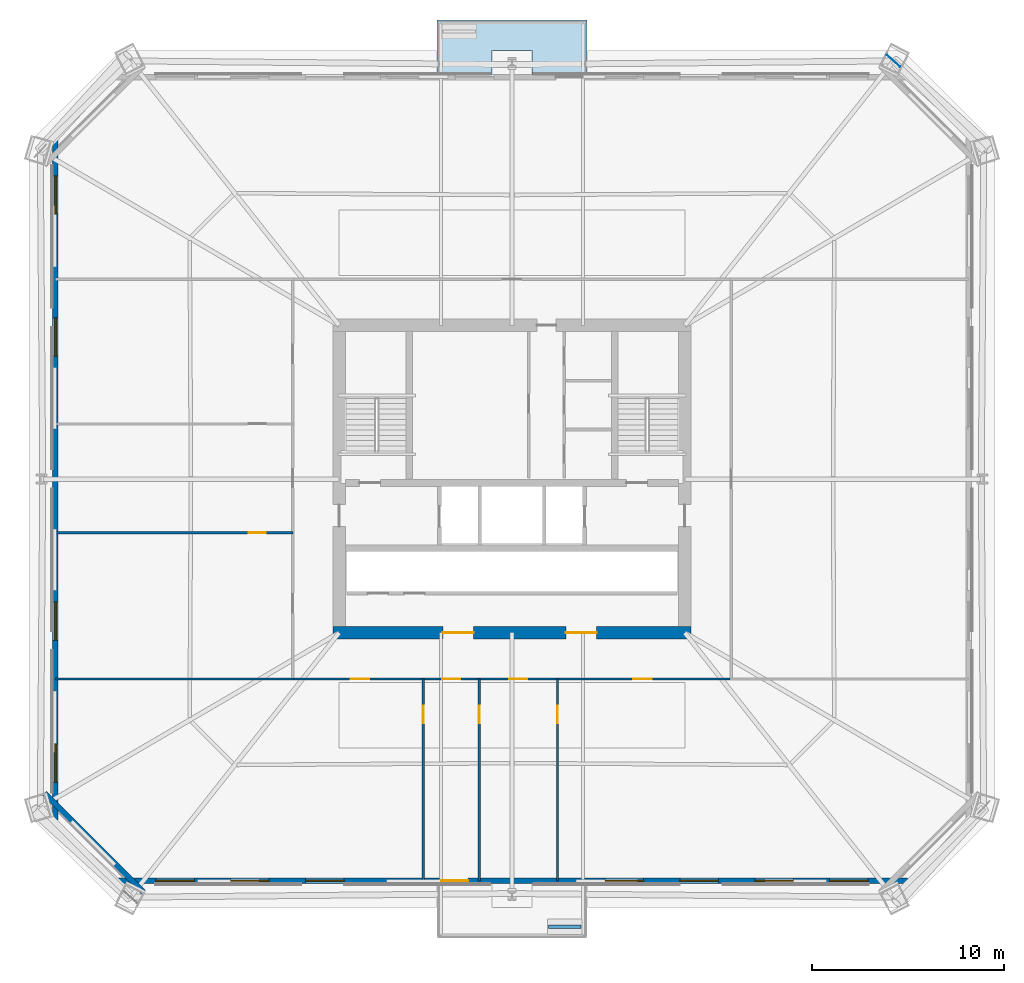
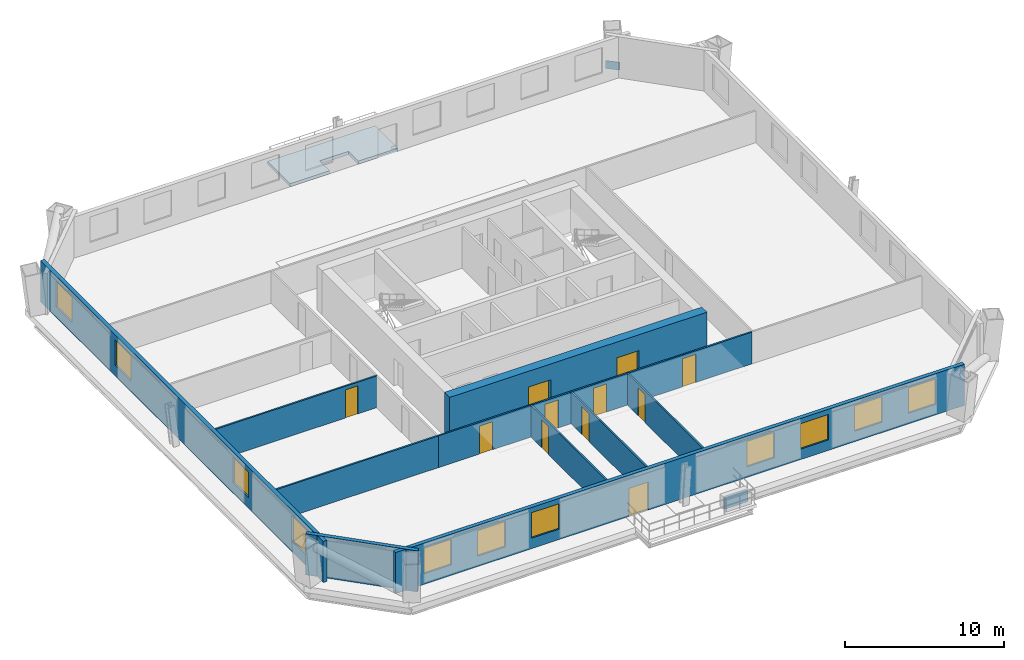
# One storey, part 3 of 8: 11 doors, 11 walls, 11 windows, 1 plate, 1 slab, 22 openings.
"""IFC4 building model written with IfcOpenShell, lengths in metres."""

from ifc_helpers import new_model, si_unit, direction, frame, frame_2d, origin, origin_2d, place, context, subcontext, project, spatial, polyline, rectangle, outline, extrude, material, layer, layer_set, type_object, element, fill, save


model = new_model("IFC4")

# Units and contexts
model_context = context("Model", 3, precision=1e-05, world=origin(), true_north=direction((0.0, 1.0)))
body_context = subcontext(model_context, "Body", "Model", "MODEL_VIEW")
ifc_project = project(units=[si_unit("LENGTHUNIT", "METRE"), si_unit("AREAUNIT", "SQUARE_METRE"), si_unit("VOLUMEUNIT", "CUBIC_METRE"), si_unit("PLANEANGLEUNIT", "RADIAN"), si_unit("MASSUNIT", "GRAM", prefix="KILO")], contexts=[model_context])

# Site, building, storey
site_placement = place(None, origin())
site = spatial("IfcSite", under=ifc_project, at=site_placement, CompositionType="ELEMENT")
building_placement = place(site_placement, origin())
building = spatial("IfcBuilding", under=site, at=building_placement, Name="Caelvoria Tower", CompositionType="ELEMENT")
storey_placement = place(building_placement, frame((0.0, 0.0, 46.0)))
storey = spatial("IfcBuildingStorey", under=building, at=storey_placement, Name="L11", CompositionType="ELEMENT", Elevation=46.0)

# Plate
ifc_material_1 = material(Name="Structural Steel ASTM A572 Gr.50", Category="steel")
ifc_layer_1 = layer(ifc_material_1, 0.0400390625, Name="Structural Steel ASTM A572 Gr.50")
ifc_layer_set_1 = layer_set([ifc_layer_1], Name="Megaframe Node Gusset Plate 900x600x40 - Structural Steel ASTM A572 Gr.50")
plate_type = type_object("IfcPlateType", Name="Megaframe Node Gusset Plate 900x600x40", PredefinedType="USERDEFINED", material=ifc_layer_set_1)
plate_placement = place(storey_placement, frame((65.86474609375, 53.768310546875, 0.02001953125), z_axis=(0.0, 0.0, 1.0), x_axis=(0.740456301818, -0.672104504596, 0.0)))
element("IfcPlate", 1, at=plate_placement, inside=storey, type_object=plate_type, Name="Chamfer Mega Brace Gusset L11 NE", ObjectType="GUSSET_PLATE", PredefinedType="USERDEFINED", context=body_context, shape_type="SweptSolid", body=[
    extrude(rectangle(XDim=0.89990234375, YDim=0.0400390625, at=origin_2d()), origin(), (0.0, 0.0, 1.0), 0.60009765625),
])

# Slab
ifc_material_2 = material(Name="Concrete C45/55", Category="concrete")
ifc_layer_2 = layer(ifc_material_2, 0.25, Name="Concrete C45/55")
ifc_layer_set_2 = layer_set([ifc_layer_2], Name="Tree Balcony Structural Planter Slab 250 - Concrete C45/55")
slab_type = type_object("IfcSlabType", Name="Tree Balcony Structural Planter Slab 250", PredefinedType="FLOOR", material=ifc_layer_set_2)
slab_placement = place(storey_placement, frame((0.0, 0.0, -0.25)))
element("IfcSlab", 2, at=slab_placement, inside=storey, type_object=slab_type, Name="Tree Balcony Slab TB-L11-N", PredefinedType="FLOOR", context=body_context, shape_type="SweptSolid", body=[
    extrude(outline(polyline([(42.10009765625, 55.89990234375), (42.10009765625, 54.300048828125), (42.10009765625, 53.06005859375), (44.9599609375, 53.06005859375), (44.9599609375, 54.300048828125), (47.0400390625, 54.300048828125), (47.0400390625, 53.06005859375), (49.89990234375, 53.06005859375), (49.89990234375, 54.300048828125), (49.89990234375, 55.89990234375), (42.10009765625, 55.89990234375)])), origin(), (0.0, 0.0, 1.0), 0.25),
])

# Wall
ifc_material_3 = material(Name="Bronze-Clad Concrete C40/50", Category="concrete")
ifc_layer_3 = layer(ifc_material_3, 0.179931640625, Name="Bronze-Clad Concrete C40/50")
ifc_layer_set_3 = layer_set([ifc_layer_3], Name="Architectural Planter Kerb Wall 180 - Bronze-Clad Concrete C40/50")
wall_type_1 = type_object("IfcWallType", Name="Architectural Planter Kerb Wall 180", PredefinedType="PARAPET", material=ifc_layer_set_3)
wall_1_placement = place(storey_placement, frame((47.89990234375, 8.699951171875, 0.0), z_axis=(0.0, 0.0, 1.0), x_axis=(1.0, 0.0, 0.0)))
element("IfcWall", 3, at=wall_1_placement, inside=storey, type_object=wall_type_1, Name="Tree Balcony Planter Kerb PLANTER TB-L11-S", PredefinedType="PARAPET", context=body_context, shape_type="SweptSolid", body=[
    extrude(rectangle(XDim=1.7001953125, YDim=0.179931640625, at=frame_2d((0.85009765625, 0.0))), origin(), (0.0, 0.0, 1.0), 0.8798828125),
])

# Wall, openings, windows, door
ifc_material_4 = material(Name="Precast Concrete C40/50 with Bronze Cladding", Category="concrete")
ifc_layer_4 = layer(ifc_material_4, 0.280029296875, Name="Precast Concrete C40/50 with Bronze Cladding")
ifc_layer_set_4 = layer_set([ifc_layer_4], Name="Exterior Precast Concrete C40/50 Bronze-Clad Facade Wall 280 - Precast Concrete C40/50 with Bronze Cladding")
wall_type_2 = type_object("IfcWallType", Name="Exterior Precast Concrete C40/50 Bronze-Clad Facade Wall 280", PredefinedType="STANDARD", material=ifc_layer_set_4)
wall_2_placement = place(storey_placement, frame((25.409912109375, 11.080078125, 0.0), z_axis=(0.0, 0.0, 1.0), x_axis=(1.0, 0.0, 0.0)))
wall_2 = element("IfcWall", 4, at=wall_2_placement, inside=storey, type_object=wall_type_2, Name="Exterior Facade Wall L11-E0", PredefinedType="STANDARD", context=body_context, shape_type="SweptSolid", body=[
    extrude(rectangle(XDim=41.18017578125, YDim=0.280029296875, at=frame_2d((20.590087890625, 0.0))), origin(), (0.0, 0.0, 1.0), 3.14990234375),
])
opening_1_placement = place(wall_2_placement, frame((16.909912109375, 0.0, 0.0)))
opening_1 = element("IfcOpeningElement", 5, at=opening_1_placement, cuts=wall_2, Name="Opening ED-04", PredefinedType="OPENING", context=body_context, shape_type="SweptSolid", body=[
    extrude(rectangle(XDim=1.39990234375, YDim=2.14990234375, at=frame_2d((0.699951171875, 1.074951171875))), frame((0.0, 0.14990234375, 0.0), z_axis=(0.0, -1.0, 0.0), x_axis=(1.0, 0.0, 0.0)), (0.0, 0.0, 1.0), 0.300048828125),
])
opening_2_placement = place(wall_2_placement, frame((2.049072265625, 0.0, 0.800048828125)))
opening_2 = element("IfcOpeningElement", 6, at=opening_2_placement, cuts=wall_2, Name="Opening WN-01", PredefinedType="OPENING", context=body_context, shape_type="SweptSolid", body=[
    extrude(rectangle(XDim=2.0, YDim=1.949951171875, at=frame_2d((1.0, 0.97509765625))), frame((0.0, 0.14990234375, 0.0), z_axis=(0.0, -1.0, 0.0), x_axis=(1.0, 0.0, 0.0)), (0.0, 0.0, 1.0), 0.300048828125),
])
opening_3_placement = place(wall_2_placement, frame((5.947021484375, 0.0, 0.800048828125)))
opening_3 = element("IfcOpeningElement", 7, at=opening_3_placement, cuts=wall_2, Name="Opening WN-01", PredefinedType="OPENING", context=body_context, shape_type="SweptSolid", body=[
    extrude(rectangle(XDim=2.0, YDim=1.949951171875, at=frame_2d((1.0, 0.97509765625))), frame((0.0, 0.14990234375, 0.0), z_axis=(0.0, -1.0, 0.0), x_axis=(1.0, 0.0, 0.0)), (0.0, 0.0, 1.0), 0.300048828125),
])
opening_4_placement = place(wall_2_placement, frame((9.844970703125, 0.0, 0.800048828125)))
opening_4 = element("IfcOpeningElement", 8, at=opening_4_placement, cuts=wall_2, Name="Opening WN-01", PredefinedType="OPENING", context=body_context, shape_type="SweptSolid", body=[
    extrude(rectangle(XDim=2.0, YDim=1.949951171875, at=frame_2d((1.0, 0.97509765625))), frame((0.0, 0.14990234375, 0.0), z_axis=(0.0, -1.0, 0.0), x_axis=(1.0, 0.0, 0.0)), (0.0, 0.0, 1.0), 0.300048828125),
])
opening_5_placement = place(wall_2_placement, frame((25.43701171875, 0.0, 0.800048828125)))
opening_5 = element("IfcOpeningElement", 9, at=opening_5_placement, cuts=wall_2, Name="Opening WN-01", PredefinedType="OPENING", context=body_context, shape_type="SweptSolid", body=[
    extrude(rectangle(XDim=2.0, YDim=1.949951171875, at=frame_2d((1.0, 0.97509765625))), frame((0.0, 0.14990234375, 0.0), z_axis=(0.0, -1.0, 0.0), x_axis=(1.0, 0.0, 0.0)), (0.0, 0.0, 1.0), 0.300048828125),
])
opening_6_placement = place(wall_2_placement, frame((29.3349609375, 0.0, 0.800048828125)))
opening_6 = element("IfcOpeningElement", 10, at=opening_6_placement, cuts=wall_2, Name="Opening WN-01", PredefinedType="OPENING", context=body_context, shape_type="SweptSolid", body=[
    extrude(rectangle(XDim=2.0, YDim=1.949951171875, at=frame_2d((1.0, 0.97509765625))), frame((0.0, 0.14990234375, 0.0), z_axis=(0.0, -1.0, 0.0), x_axis=(1.0, 0.0, 0.0)), (0.0, 0.0, 1.0), 0.300048828125),
])
opening_7_placement = place(wall_2_placement, frame((33.23291015625, 0.0, 0.800048828125)))
opening_7 = element("IfcOpeningElement", 11, at=opening_7_placement, cuts=wall_2, Name="Opening WN-01", PredefinedType="OPENING", context=body_context, shape_type="SweptSolid", body=[
    extrude(rectangle(XDim=2.0, YDim=1.949951171875, at=frame_2d((1.0, 0.97509765625))), frame((0.0, 0.14990234375, 0.0), z_axis=(0.0, -1.0, 0.0), x_axis=(1.0, 0.0, 0.0)), (0.0, 0.0, 1.0), 0.300048828125),
])
opening_8_placement = place(wall_2_placement, frame((37.131103515625, 0.0, 0.800048828125)))
opening_8 = element("IfcOpeningElement", 12, at=opening_8_placement, cuts=wall_2, Name="Opening WN-01", PredefinedType="OPENING", context=body_context, shape_type="SweptSolid", body=[
    extrude(rectangle(XDim=2.0, YDim=1.949951171875, at=frame_2d((1.0, 0.97509765625))), frame((0.0, 0.14990234375, 0.0), z_axis=(0.0, -1.0, 0.0), x_axis=(1.0, 0.0, 0.0)), (0.0, 0.0, 1.0), 0.300048828125),
])
ifc_material_5 = material(Name="Low-E Tinted Glass in Bronze Aluminium Frame", Category="aluminium")
window_type = type_object("IfcWindowType", Name="Tower Office Vision Window 2000x1950", PartitioningType="SINGLE_PANEL", PredefinedType="WINDOW", material=ifc_material_5)
window_1_placement = place(opening_2_placement, origin())
window_1 = element("IfcWindow", 13, at=window_1_placement, inside=storey, type_object=window_type, Name="Facade Window L11-E0-00", OverallHeight=1.949951171875, OverallWidth=2.0, PartitioningType="SINGLE_PANEL", PredefinedType="WINDOW", context=body_context, shape_type="SweptSolid", body=[
    extrude(rectangle(XDim=2.0, YDim=1.949951171875, at=frame_2d((1.0, 0.97509765625))), frame((0.0, 0.030029296875, 0.0), z_axis=(0.0, -1.0, 0.0), x_axis=(1.0, 0.0, 0.0)), (0.0, 0.0, 1.0), 0.06005859375),
])
fill(opening_2, window_1)
window_2_placement = place(opening_3_placement, origin())
window_2 = element("IfcWindow", 14, at=window_2_placement, inside=storey, type_object=window_type, Name="Facade Window L11-E0-01", OverallHeight=1.949951171875, OverallWidth=2.0, PartitioningType="SINGLE_PANEL", PredefinedType="WINDOW", context=body_context, shape_type="SweptSolid", body=[
    extrude(rectangle(XDim=2.0, YDim=1.949951171875, at=frame_2d((1.0, 0.97509765625))), frame((0.0, 0.030029296875, 0.0), z_axis=(0.0, -1.0, 0.0), x_axis=(1.0, 0.0, 0.0)), (0.0, 0.0, 1.0), 0.06005859375),
])
fill(opening_3, window_2)
window_3_placement = place(opening_4_placement, origin())
window_3 = element("IfcWindow", 15, at=window_3_placement, inside=storey, type_object=window_type, Name="Facade Window L11-E0-02", OverallHeight=1.949951171875, OverallWidth=2.0, PartitioningType="SINGLE_PANEL", PredefinedType="WINDOW", context=body_context, shape_type="SweptSolid", body=[
    extrude(rectangle(XDim=2.0, YDim=1.949951171875, at=frame_2d((1.0, 0.97509765625))), frame((0.0, 0.030029296875, 0.0), z_axis=(0.0, -1.0, 0.0), x_axis=(1.0, 0.0, 0.0)), (0.0, 0.0, 1.0), 0.06005859375),
])
fill(opening_4, window_3)
window_4_placement = place(opening_5_placement, origin())
window_4 = element("IfcWindow", 16, at=window_4_placement, inside=storey, type_object=window_type, Name="Facade Window L11-E0-06", OverallHeight=1.949951171875, OverallWidth=2.0, PartitioningType="SINGLE_PANEL", PredefinedType="WINDOW", context=body_context, shape_type="SweptSolid", body=[
    extrude(rectangle(XDim=2.0, YDim=1.949951171875, at=frame_2d((1.0, 0.97509765625))), frame((0.0, 0.030029296875, 0.0), z_axis=(0.0, -1.0, 0.0), x_axis=(1.0, 0.0, 0.0)), (0.0, 0.0, 1.0), 0.06005859375),
])
fill(opening_5, window_4)
window_5_placement = place(opening_6_placement, origin())
window_5 = element("IfcWindow", 17, at=window_5_placement, inside=storey, type_object=window_type, Name="Facade Window L11-E0-07", OverallHeight=1.949951171875, OverallWidth=2.0, PartitioningType="SINGLE_PANEL", PredefinedType="WINDOW", context=body_context, shape_type="SweptSolid", body=[
    extrude(rectangle(XDim=2.0, YDim=1.949951171875, at=frame_2d((1.0, 0.97509765625))), frame((0.0, 0.030029296875, 0.0), z_axis=(0.0, -1.0, 0.0), x_axis=(1.0, 0.0, 0.0)), (0.0, 0.0, 1.0), 0.06005859375),
])
fill(opening_6, window_5)
window_6_placement = place(opening_7_placement, origin())
window_6 = element("IfcWindow", 18, at=window_6_placement, inside=storey, type_object=window_type, Name="Facade Window L11-E0-08", OverallHeight=1.949951171875, OverallWidth=2.0, PartitioningType="SINGLE_PANEL", PredefinedType="WINDOW", context=body_context, shape_type="SweptSolid", body=[
    extrude(rectangle(XDim=2.0, YDim=1.949951171875, at=frame_2d((1.0, 0.97509765625))), frame((0.0, 0.030029296875, 0.0), z_axis=(0.0, -1.0, 0.0), x_axis=(1.0, 0.0, 0.0)), (0.0, 0.0, 1.0), 0.06005859375),
])
fill(opening_7, window_6)
window_7_placement = place(opening_8_placement, origin())
window_7 = element("IfcWindow", 19, at=window_7_placement, inside=storey, type_object=window_type, Name="Facade Window L11-E0-09", OverallHeight=1.949951171875, OverallWidth=2.0, PartitioningType="SINGLE_PANEL", PredefinedType="WINDOW", context=body_context, shape_type="SweptSolid", body=[
    extrude(rectangle(XDim=2.0, YDim=1.949951171875, at=frame_2d((1.0, 0.97509765625))), frame((0.0, 0.030029296875, 0.0), z_axis=(0.0, -1.0, 0.0), x_axis=(1.0, 0.0, 0.0)), (0.0, 0.0, 1.0), 0.06005859375),
])
fill(opening_8, window_7)
ifc_material_6 = material(Name="Anodised Bronze Aluminium and Laminated Glass", Category="aluminium")
door_type_1 = type_object("IfcDoorType", Name="Tree Balcony Glazed Door 1400x2150", OperationType="NOTDEFINED", PredefinedType="DOOR", material=ifc_material_6)
door_1_placement = place(opening_1_placement, origin())
door_1 = element("IfcDoor", 20, at=door_1_placement, inside=storey, type_object=door_type_1, Name="Tree Balcony Door L11-S", OperationType="SINGLE_SWING_RIGHT", OverallHeight=2.14990234375, OverallWidth=1.39990234375, PredefinedType="DOOR", context=body_context, shape_type="SweptSolid", body=[
    extrude(rectangle(XDim=1.39990234375, YDim=2.14990234375, at=frame_2d((0.699951171875, 1.074951171875))), frame((0.0, 0.02490234375, 0.0), z_axis=(0.0, -1.0, 0.0), x_axis=(1.0, 0.0, 0.0)), (0.0, 0.0, 1.0), 0.050048828125),
])
fill(opening_1, door_1)

# Wall, openings, windows
wall_3_placement = place(storey_placement, frame((22.22998046875, 49.739990234375, 0.0), z_axis=(0.0, 0.0, 1.0), x_axis=(0.0, -1.0, 0.0)))
wall_3 = element("IfcWall", 21, at=wall_3_placement, inside=storey, type_object=wall_type_2, Name="Exterior Facade Wall L11-E6", PredefinedType="STANDARD", context=body_context, shape_type="SweptSolid", body=[
    extrude(rectangle(XDim=35.47998046875, YDim=0.280029296875, at=frame_2d((17.739990234375, 0.0))), origin(), (0.0, 0.0, 1.0), 3.14990234375),
])
opening_9_placement = place(wall_3_placement, frame((1.948974609375, 0.0, 0.800048828125)))
opening_9 = element("IfcOpeningElement", 22, at=opening_9_placement, cuts=wall_3, Name="Opening WN-01", PredefinedType="OPENING", context=body_context, shape_type="SweptSolid", body=[
    extrude(rectangle(XDim=2.0, YDim=1.949951171875, at=frame_2d((1.0, 0.97509765625))), frame((0.0, 0.14990234375, 0.0), z_axis=(0.0, -1.0, 0.0), x_axis=(1.0, 0.0, 0.0)), (0.0, 0.0, 1.0), 0.300048828125),
])
opening_10_placement = place(wall_3_placement, frame((9.344482421875, 0.0, 0.800048828125)))
opening_10 = element("IfcOpeningElement", 23, at=opening_10_placement, cuts=wall_3, Name="Opening WN-01", PredefinedType="OPENING", context=body_context, shape_type="SweptSolid", body=[
    extrude(rectangle(XDim=2.0, YDim=1.949951171875, at=frame_2d((1.0, 0.97509765625))), frame((0.0, 0.14990234375, 0.0), z_axis=(0.0, -1.0, 0.0), x_axis=(1.0, 0.0, 0.0)), (0.0, 0.0, 1.0), 0.300048828125),
])
opening_11_placement = place(wall_3_placement, frame((24.135498046875, 0.0, 0.800048828125)))
opening_11 = element("IfcOpeningElement", 24, at=opening_11_placement, cuts=wall_3, Name="Opening WN-01", PredefinedType="OPENING", context=body_context, shape_type="SweptSolid", body=[
    extrude(rectangle(XDim=2.0, YDim=1.949951171875, at=frame_2d((1.0, 0.97509765625))), frame((0.0, 0.14990234375, 0.0), z_axis=(0.0, -1.0, 0.0), x_axis=(1.0, 0.0, 0.0)), (0.0, 0.0, 1.0), 0.300048828125),
])
opening_12_placement = place(wall_3_placement, frame((31.531005859375, 0.0, 0.800048828125)))
opening_12 = element("IfcOpeningElement", 25, at=opening_12_placement, cuts=wall_3, Name="Opening WN-01", PredefinedType="OPENING", context=body_context, shape_type="SweptSolid", body=[
    extrude(rectangle(XDim=2.0, YDim=1.949951171875, at=frame_2d((1.0, 0.97509765625))), frame((0.0, 0.14990234375, 0.0), z_axis=(0.0, -1.0, 0.0), x_axis=(1.0, 0.0, 0.0)), (0.0, 0.0, 1.0), 0.300048828125),
])
window_8_placement = place(opening_9_placement, origin())
window_8 = element("IfcWindow", 26, at=window_8_placement, inside=storey, type_object=window_type, Name="Facade Window L11-E6-00", OverallHeight=1.949951171875, OverallWidth=2.0, PartitioningType="SINGLE_PANEL", PredefinedType="WINDOW", context=body_context, shape_type="SweptSolid", body=[
    extrude(rectangle(XDim=2.0, YDim=1.949951171875, at=frame_2d((1.0, 0.97509765625))), frame((0.0, 0.030029296875, 0.0), z_axis=(0.0, -1.0, 0.0), x_axis=(1.0, 0.0, 0.0)), (0.0, 0.0, 1.0), 0.06005859375),
])
fill(opening_9, window_8)
window_9_placement = place(opening_10_placement, origin())
window_9 = element("IfcWindow", 27, at=window_9_placement, inside=storey, type_object=window_type, Name="Facade Window L11-E6-02", OverallHeight=1.949951171875, OverallWidth=2.0, PartitioningType="SINGLE_PANEL", PredefinedType="WINDOW", context=body_context, shape_type="SweptSolid", body=[
    extrude(rectangle(XDim=2.0, YDim=1.949951171875, at=frame_2d((1.0, 0.97509765625))), frame((0.0, 0.030029296875, 0.0), z_axis=(0.0, -1.0, 0.0), x_axis=(1.0, 0.0, 0.0)), (0.0, 0.0, 1.0), 0.06005859375),
])
fill(opening_10, window_9)
window_10_placement = place(opening_11_placement, origin())
window_10 = element("IfcWindow", 28, at=window_10_placement, inside=storey, type_object=window_type, Name="Facade Window L11-E6-06", OverallHeight=1.949951171875, OverallWidth=2.0, PartitioningType="SINGLE_PANEL", PredefinedType="WINDOW", context=body_context, shape_type="SweptSolid", body=[
    extrude(rectangle(XDim=2.0, YDim=1.949951171875, at=frame_2d((1.0, 0.97509765625))), frame((0.0, 0.030029296875, 0.0), z_axis=(0.0, -1.0, 0.0), x_axis=(1.0, 0.0, 0.0)), (0.0, 0.0, 1.0), 0.06005859375),
])
fill(opening_11, window_10)
window_11_placement = place(opening_12_placement, origin())
window_11 = element("IfcWindow", 29, at=window_11_placement, inside=storey, type_object=window_type, Name="Facade Window L11-E6-08", OverallHeight=1.949951171875, OverallWidth=2.0, PartitioningType="SINGLE_PANEL", PredefinedType="WINDOW", context=body_context, shape_type="SweptSolid", body=[
    extrude(rectangle(XDim=2.0, YDim=1.949951171875, at=frame_2d((1.0, 0.97509765625))), frame((0.0, 0.030029296875, 0.0), z_axis=(0.0, -1.0, 0.0), x_axis=(1.0, 0.0, 0.0)), (0.0, 0.0, 1.0), 0.06005859375),
])
fill(opening_12, window_11)

# Wall
wall_4_placement = place(storey_placement, frame((21.656005859375, 15.6455078125, 0.0), z_axis=(0.0, 0.0, 1.0), x_axis=(0.707106781187, -0.707106781187, 0.0)))
element("IfcWall", 30, at=wall_4_placement, inside=storey, type_object=wall_type_2, Name="Exterior Facade Wall L11-E7", PredefinedType="STANDARD", context=body_context, shape_type="SweptSolid", body=[
    extrude(rectangle(XDim=7.268310546875, YDim=0.280029296875, at=frame_2d((3.63427734375, 0.0))), origin(), (0.0, 0.0, 1.0), 3.14990234375),
])

# Wall, openings, doors
ifc_material_7 = material(Name="Concrete C60/75", Category="concrete")
ifc_layer_5 = layer(ifc_material_7, 0.64990234375, Name="Concrete C60/75")
ifc_layer_set_5 = layer_set([ifc_layer_5], Name="Lower Core Shear Wall 650 - Concrete C60/75")
wall_type_3 = type_object("IfcWallType", Name="Lower Core Shear Wall 650", PredefinedType="SHEAR", material=ifc_layer_set_5)
wall_5_placement = place(storey_placement, frame((36.675048828125, 24.0, 0.0), z_axis=(0.0, 0.0, 1.0), x_axis=(1.0, 0.0, 0.0)))
wall_5 = element("IfcWall", 31, at=wall_5_placement, inside=storey, type_object=wall_type_3, Name="Core Shear Wall L11 S", PredefinedType="SHEAR", context=body_context, shape_type="SweptSolid", body=[
    extrude(rectangle(XDim=18.64990234375, YDim=0.64990234375, at=frame_2d((9.324951171875, 0.0))), origin(), (0.0, 0.0, 1.0), 3.360107421875),
])
opening_13_placement = place(wall_5_placement, frame((5.72509765625, 0.0, 0.0)))
opening_13 = element("IfcOpeningElement", 32, at=opening_13_placement, cuts=wall_5, Name="Opening ID-08", PredefinedType="OPENING", context=body_context, shape_type="SweptSolid", body=[
    extrude(rectangle(XDim=1.60009765625, YDim=2.14990234375, at=frame_2d((0.800048828125, 1.074951171875))), frame((0.0, 0.3349609375, 0.0), z_axis=(0.0, -1.0, 0.0), x_axis=(1.0, 0.0, 0.0)), (0.0, 0.0, 1.0), 0.669921875),
])
opening_14_placement = place(wall_5_placement, frame((12.125, 0.0, 0.0)))
opening_14 = element("IfcOpeningElement", 33, at=opening_14_placement, cuts=wall_5, Name="Opening ID-08", PredefinedType="OPENING", context=body_context, shape_type="SweptSolid", body=[
    extrude(rectangle(XDim=1.60009765625, YDim=2.14990234375, at=frame_2d((0.800048828125, 1.074951171875))), frame((0.0, 0.3349609375, 0.0), z_axis=(0.0, -1.0, 0.0), x_axis=(1.0, 0.0, 0.0)), (0.0, 0.0, 1.0), 0.669921875),
])
ifc_material_8 = material(Name="Bronze-Framed Fire-Rated Glazed Double Door", Category="aluminium")
door_type_2 = type_object("IfcDoorType", Name="Double Lobby Glazed Door 1600x2200", OperationType="NOTDEFINED", PredefinedType="DOOR", material=ifc_material_8)
door_2_placement = place(opening_13_placement, origin())
door_2 = element("IfcDoor", 34, at=door_2_placement, inside=storey, type_object=door_type_2, Name="Core Door DR-L11-LLOB-S1", OperationType="DOUBLE_DOOR_SINGLE_SWING", OverallHeight=2.14990234375, OverallWidth=1.60009765625, PredefinedType="DOOR", context=body_context, shape_type="SweptSolid", body=[
    extrude(rectangle(XDim=1.60009765625, YDim=2.14990234375, at=frame_2d((0.800048828125, 1.074951171875))), frame((0.0, 0.02490234375, 0.0), z_axis=(0.0, -1.0, 0.0), x_axis=(1.0, 0.0, 0.0)), (0.0, 0.0, 1.0), 0.050048828125),
])
fill(opening_13, door_2)
door_3_placement = place(opening_14_placement, origin())
door_3 = element("IfcDoor", 35, at=door_3_placement, inside=storey, type_object=door_type_2, Name="Core Door DR-L11-LLOB-S2", OperationType="DOUBLE_DOOR_SINGLE_SWING", OverallHeight=2.14990234375, OverallWidth=1.60009765625, PredefinedType="DOOR", context=body_context, shape_type="SweptSolid", body=[
    extrude(rectangle(XDim=1.60009765625, YDim=2.14990234375, at=frame_2d((0.800048828125, 1.074951171875))), frame((0.0, 0.02490234375, 0.0), z_axis=(0.0, -1.0, 0.0), x_axis=(1.0, 0.0, 0.0)), (0.0, 0.0, 1.0), 0.050048828125),
])
fill(opening_14, door_3)

# Wall, opening, door
ifc_material_9 = material(Name="Acoustic Gypsum Board on Light-Gauge Stud", Category="gypsum")
ifc_layer_6 = layer(ifc_material_9, 0.1201171875, Name="Acoustic Gypsum Board on Light-Gauge Stud")
ifc_layer_set_6 = layer_set([ifc_layer_6], Name="Tenant Suite Acoustic Partition Wall 120 - Acoustic Gypsum Board on Light-Gauge Stud")
wall_type_4 = type_object("IfcWallType", Name="Tenant Suite Acoustic Partition Wall 120", PredefinedType="PARTITIONING", material=ifc_layer_set_6)
wall_6_placement = place(storey_placement, frame((41.37890625, 21.590087890625, 0.0), z_axis=(0.0, 0.0, 1.0), x_axis=(0.0, -1.0, 0.0)))
wall_6 = element("IfcWall", 36, at=wall_6_placement, inside=storey, type_object=wall_type_4, Name="Interior Partition IW-L11-SD-00-0", PredefinedType="PARTITIONING", context=body_context, shape_type="SweptSolid", body=[
    extrude(rectangle(XDim=10.510009765625, YDim=0.1201171875, at=frame_2d((5.2548828125, 0.0))), origin(), (0.0, 0.0, 1.0), 2.429931640625),
])
opening_15_placement = place(wall_6_placement, frame((1.39990234375, 0.0, 0.0)))
opening_15 = element("IfcOpeningElement", 37, at=opening_15_placement, cuts=wall_6, Name="Opening ID-06", PredefinedType="OPENING", context=body_context, shape_type="SweptSolid", body=[
    extrude(rectangle(XDim=0.89990234375, YDim=2.14990234375, at=frame_2d((0.449951171875, 1.074951171875))), frame((0.0, 0.070068359375, 0.0), z_axis=(0.0, -1.0, 0.0), x_axis=(1.0, 0.0, 0.0)), (0.0, 0.0, 1.0), 0.14013671875),
])
ifc_material_10 = material(Name="Engineered Andean Oak Veneer Door", Category="wood")
door_type_3 = type_object("IfcDoorType", Name="Interior Timber Door 900x2150", OperationType="NOTDEFINED", PredefinedType="DOOR", material=ifc_material_10)
door_4_placement = place(opening_15_placement, origin())
door_4 = element("IfcDoor", 38, at=door_4_placement, inside=storey, type_object=door_type_3, Name="Interior Door DR-L11-SM-00-0", OperationType="SINGLE_SWING_RIGHT", OverallHeight=2.14990234375, OverallWidth=0.89990234375, PredefinedType="DOOR", context=body_context, shape_type="SweptSolid", body=[
    extrude(rectangle(XDim=0.89990234375, YDim=2.14990234375, at=frame_2d((0.449951171875, 1.074951171875))), frame((0.0, 0.02490234375, 0.0), z_axis=(0.0, -1.0, 0.0), x_axis=(1.0, 0.0, 0.0)), (0.0, 0.0, 1.0), 0.050048828125),
])
fill(opening_15, door_4)

wall_7_placement = place(storey_placement, frame((44.288818359375, 21.590087890625, 0.0), z_axis=(0.0, 0.0, 1.0), x_axis=(0.0, -1.0, 0.0)))
wall_7 = element("IfcWall", 39, at=wall_7_placement, inside=storey, type_object=wall_type_4, Name="Interior Partition IW-L11-SD-01-0", PredefinedType="PARTITIONING", context=body_context, shape_type="SweptSolid", body=[
    extrude(rectangle(XDim=10.510009765625, YDim=0.1201171875, at=frame_2d((5.2548828125, 0.0))), origin(), (0.0, 0.0, 1.0), 2.429931640625),
])
opening_16_placement = place(wall_7_placement, frame((1.39990234375, 0.0, 0.0)))
opening_16 = element("IfcOpeningElement", 40, at=opening_16_placement, cuts=wall_7, Name="Opening ID-06", PredefinedType="OPENING", context=body_context, shape_type="SweptSolid", body=[
    extrude(rectangle(XDim=0.89990234375, YDim=2.14990234375, at=frame_2d((0.449951171875, 1.074951171875))), frame((0.0, 0.070068359375, 0.0), z_axis=(0.0, -1.0, 0.0), x_axis=(1.0, 0.0, 0.0)), (0.0, 0.0, 1.0), 0.14013671875),
])
door_5_placement = place(opening_16_placement, origin())
door_5 = element("IfcDoor", 41, at=door_5_placement, inside=storey, type_object=door_type_3, Name="Interior Door DR-L11-SM-01-0", OperationType="SINGLE_SWING_LEFT", OverallHeight=2.14990234375, OverallWidth=0.89990234375, PredefinedType="DOOR", context=body_context, shape_type="SweptSolid", body=[
    extrude(rectangle(XDim=0.89990234375, YDim=2.14990234375, at=frame_2d((0.449951171875, 1.074951171875))), frame((0.0, 0.02490234375, 0.0), z_axis=(0.0, -1.0, 0.0), x_axis=(1.0, 0.0, 0.0)), (0.0, 0.0, 1.0), 0.050048828125),
])
fill(opening_16, door_5)

wall_8_placement = place(storey_placement, frame((48.36962890625, 21.590087890625, 0.0), z_axis=(0.0, 0.0, 1.0), x_axis=(0.0, -1.0, 0.0)))
wall_8 = element("IfcWall", 42, at=wall_8_placement, inside=storey, type_object=wall_type_4, Name="Interior Partition IW-L11-SD-02-0", PredefinedType="PARTITIONING", context=body_context, shape_type="SweptSolid", body=[
    extrude(rectangle(XDim=10.510009765625, YDim=0.1201171875, at=frame_2d((5.2548828125, 0.0))), origin(), (0.0, 0.0, 1.0), 2.429931640625),
])
opening_17_placement = place(wall_8_placement, frame((1.39990234375, 0.0, 0.0)))
opening_17 = element("IfcOpeningElement", 43, at=opening_17_placement, cuts=wall_8, Name="Opening ID-06", PredefinedType="OPENING", context=body_context, shape_type="SweptSolid", body=[
    extrude(rectangle(XDim=0.89990234375, YDim=2.14990234375, at=frame_2d((0.449951171875, 1.074951171875))), frame((0.0, 0.070068359375, 0.0), z_axis=(0.0, -1.0, 0.0), x_axis=(1.0, 0.0, 0.0)), (0.0, 0.0, 1.0), 0.14013671875),
])
door_6_placement = place(opening_17_placement, origin())
door_6 = element("IfcDoor", 44, at=door_6_placement, inside=storey, type_object=door_type_3, Name="Interior Door DR-L11-SM-02-0", OperationType="SINGLE_SWING_RIGHT", OverallHeight=2.14990234375, OverallWidth=0.89990234375, PredefinedType="DOOR", context=body_context, shape_type="SweptSolid", body=[
    extrude(rectangle(XDim=0.89990234375, YDim=2.14990234375, at=frame_2d((0.449951171875, 1.074951171875))), frame((0.0, 0.02490234375, 0.0), z_axis=(0.0, -1.0, 0.0), x_axis=(1.0, 0.0, 0.0)), (0.0, 0.0, 1.0), 0.050048828125),
])
fill(opening_17, door_6)

# Wall, openings, doors
wall_9_placement = place(storey_placement, frame((34.64990234375, 21.590087890625, 0.0), z_axis=(0.0, 0.0, 1.0), x_axis=(1.0, 0.0, 0.0)))
wall_9 = element("IfcWall", 45, at=wall_9_placement, inside=storey, type_object=wall_type_4, Name="Interior Partition IW-L11-SCW-0", PredefinedType="PARTITIONING", context=body_context, shape_type="SweptSolid", body=[
    extrude(rectangle(XDim=22.7001953125, YDim=0.1201171875, at=frame_2d((11.35009765625, 0.0))), origin(), (0.0, 0.0, 1.0), 2.429931640625),
])
opening_18_placement = place(wall_9_placement, frame((2.95947265625, 0.0, 0.0)))
opening_18 = element("IfcOpeningElement", 46, at=opening_18_placement, cuts=wall_9, Name="Opening ID-05", PredefinedType="OPENING", context=body_context, shape_type="SweptSolid", body=[
    extrude(rectangle(XDim=0.949951171875, YDim=2.14990234375, at=frame_2d((0.47509765625, 1.074951171875))), frame((0.0, 0.070068359375, 0.0), z_axis=(0.0, -1.0, 0.0), x_axis=(1.0, 0.0, 0.0)), (0.0, 0.0, 1.0), 0.14013671875),
])
opening_19_placement = place(wall_9_placement, frame((7.708740234375, 0.0, 0.0)))
opening_19 = element("IfcOpeningElement", 47, at=opening_19_placement, cuts=wall_9, Name="Opening ID-05", PredefinedType="OPENING", context=body_context, shape_type="SweptSolid", body=[
    extrude(rectangle(XDim=0.949951171875, YDim=2.14990234375, at=frame_2d((0.47509765625, 1.074951171875))), frame((0.0, 0.070068359375, 0.0), z_axis=(0.0, -1.0, 0.0), x_axis=(1.0, 0.0, 0.0)), (0.0, 0.0, 1.0), 0.14013671875),
])
opening_20_placement = place(wall_9_placement, frame((11.2041015625, 0.0, 0.0)))
opening_20 = element("IfcOpeningElement", 48, at=opening_20_placement, cuts=wall_9, Name="Opening ID-05", PredefinedType="OPENING", context=body_context, shape_type="SweptSolid", body=[
    extrude(rectangle(XDim=0.949951171875, YDim=2.14990234375, at=frame_2d((0.47509765625, 1.074951171875))), frame((0.0, 0.070068359375, 0.0), z_axis=(0.0, -1.0, 0.0), x_axis=(1.0, 0.0, 0.0)), (0.0, 0.0, 1.0), 0.14013671875),
])
opening_21_placement = place(wall_9_placement, frame((17.664794921875, 0.0, 0.0)))
opening_21 = element("IfcOpeningElement", 49, at=opening_21_placement, cuts=wall_9, Name="Opening ID-05", PredefinedType="OPENING", context=body_context, shape_type="SweptSolid", body=[
    extrude(rectangle(XDim=0.949951171875, YDim=2.14990234375, at=frame_2d((0.47509765625, 1.074951171875))), frame((0.0, 0.070068359375, 0.0), z_axis=(0.0, -1.0, 0.0), x_axis=(1.0, 0.0, 0.0)), (0.0, 0.0, 1.0), 0.14013671875),
])
door_type_4 = type_object("IfcDoorType", Name="Interior Timber Door 950x2150", OperationType="NOTDEFINED", PredefinedType="DOOR", material=ifc_material_10)
door_7_placement = place(opening_18_placement, origin())
door_7 = element("IfcDoor", 50, at=door_7_placement, inside=storey, type_object=door_type_4, Name="Interior Door DR-L11-SC-00-0", OperationType="SINGLE_SWING_RIGHT", OverallHeight=2.14990234375, OverallWidth=0.949951171875, PredefinedType="DOOR", context=body_context, shape_type="SweptSolid", body=[
    extrude(rectangle(XDim=0.949951171875, YDim=2.14990234375, at=frame_2d((0.47509765625, 1.074951171875))), frame((0.0, 0.02490234375, 0.0), z_axis=(0.0, -1.0, 0.0), x_axis=(1.0, 0.0, 0.0)), (0.0, 0.0, 1.0), 0.050048828125),
])
fill(opening_18, door_7)
door_8_placement = place(opening_19_placement, origin())
door_8 = element("IfcDoor", 51, at=door_8_placement, inside=storey, type_object=door_type_4, Name="Interior Door DR-L11-SC-01-0", OperationType="SINGLE_SWING_LEFT", OverallHeight=2.14990234375, OverallWidth=0.949951171875, PredefinedType="DOOR", context=body_context, shape_type="SweptSolid", body=[
    extrude(rectangle(XDim=0.949951171875, YDim=2.14990234375, at=frame_2d((0.47509765625, 1.074951171875))), frame((0.0, 0.02490234375, 0.0), z_axis=(0.0, -1.0, 0.0), x_axis=(1.0, 0.0, 0.0)), (0.0, 0.0, 1.0), 0.050048828125),
])
fill(opening_19, door_8)
door_9_placement = place(opening_20_placement, origin())
door_9 = element("IfcDoor", 52, at=door_9_placement, inside=storey, type_object=door_type_4, Name="Interior Door DR-L11-SC-02-0", OperationType="SINGLE_SWING_RIGHT", OverallHeight=2.14990234375, OverallWidth=0.949951171875, PredefinedType="DOOR", context=body_context, shape_type="SweptSolid", body=[
    extrude(rectangle(XDim=0.949951171875, YDim=2.14990234375, at=frame_2d((0.47509765625, 1.074951171875))), frame((0.0, 0.02490234375, 0.0), z_axis=(0.0, -1.0, 0.0), x_axis=(1.0, 0.0, 0.0)), (0.0, 0.0, 1.0), 0.050048828125),
])
fill(opening_20, door_9)
door_10_placement = place(opening_21_placement, origin())
door_10 = element("IfcDoor", 53, at=door_10_placement, inside=storey, type_object=door_type_4, Name="Interior Door DR-L11-SC-03-0", OperationType="SINGLE_SWING_LEFT", OverallHeight=2.14990234375, OverallWidth=0.949951171875, PredefinedType="DOOR", context=body_context, shape_type="SweptSolid", body=[
    extrude(rectangle(XDim=0.949951171875, YDim=2.14990234375, at=frame_2d((0.47509765625, 1.074951171875))), frame((0.0, 0.02490234375, 0.0), z_axis=(0.0, -1.0, 0.0), x_axis=(1.0, 0.0, 0.0)), (0.0, 0.0, 1.0), 0.050048828125),
])
fill(opening_21, door_10)

# Wall, opening, door
wall_10_placement = place(storey_placement, frame((34.590087890625, 29.2041015625, 0.0), z_axis=(0.0, 0.0, 1.0), x_axis=(-1.0, 0.0, 0.0)))
wall_10 = element("IfcWall", 54, at=wall_10_placement, inside=storey, type_object=wall_type_4, Name="Interior Partition IW-L11-WD-00-0", PredefinedType="PARTITIONING", context=body_context, shape_type="SweptSolid", body=[
    extrude(rectangle(XDim=12.360107421875, YDim=0.1201171875, at=frame_2d((6.18017578125, 0.0))), origin(), (0.0, 0.0, 1.0), 2.429931640625),
])
opening_22_placement = place(wall_10_placement, frame((1.39990234375, 0.0, 0.0)))
opening_22 = element("IfcOpeningElement", 55, at=opening_22_placement, cuts=wall_10, Name="Opening ID-06", PredefinedType="OPENING", context=body_context, shape_type="SweptSolid", body=[
    extrude(rectangle(XDim=0.89990234375, YDim=2.14990234375, at=frame_2d((0.449951171875, 1.074951171875))), frame((0.0, 0.070068359375, 0.0), z_axis=(0.0, -1.0, 0.0), x_axis=(1.0, 0.0, 0.0)), (0.0, 0.0, 1.0), 0.14013671875),
])
door_11_placement = place(opening_22_placement, origin())
door_11 = element("IfcDoor", 56, at=door_11_placement, inside=storey, type_object=door_type_3, Name="Interior Door DR-L11-WM-00-0", OperationType="SINGLE_SWING_RIGHT", OverallHeight=2.14990234375, OverallWidth=0.89990234375, PredefinedType="DOOR", context=body_context, shape_type="SweptSolid", body=[
    extrude(rectangle(XDim=0.89990234375, YDim=2.14990234375, at=frame_2d((0.449951171875, 1.074951171875))), frame((0.0, 0.02490234375, 0.0), z_axis=(0.0, -1.0, 0.0), x_axis=(1.0, 0.0, 0.0)), (0.0, 0.0, 1.0), 0.050048828125),
])
fill(opening_22, door_11)

# Wall
wall_11_placement = place(storey_placement, frame((34.64990234375, 21.590087890625, 0.0), z_axis=(0.0, 0.0, 1.0), x_axis=(-1.0, 0.0, 0.0)))
element("IfcWall", 57, at=wall_11_placement, inside=storey, type_object=wall_type_4, Name="Interior Partition IW-L11-BSW-0", PredefinedType="PARTITIONING", context=body_context, shape_type="SweptSolid", body=[
    extrude(rectangle(XDim=12.419921875, YDim=0.1201171875, at=frame_2d((6.2099609375, 0.0))), origin(), (0.0, 0.0, 1.0), 2.429931640625),
])

save(model, "model.ifc")
